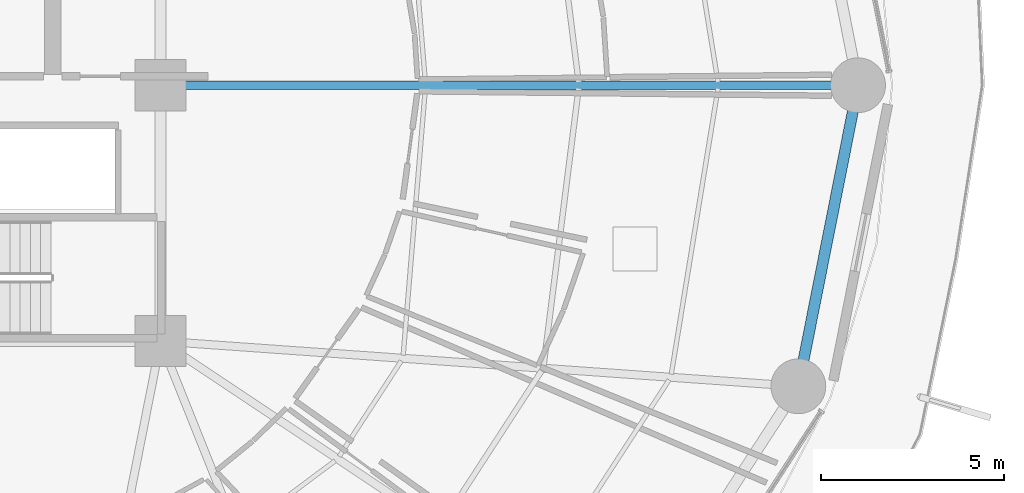
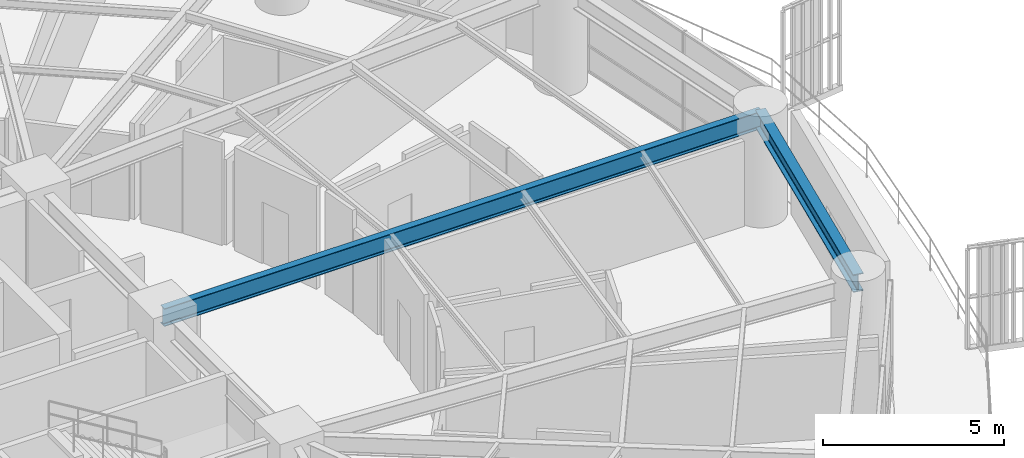
# One storey, part 13 of 34: 2 beams.
"""IFC4 building model written with IfcOpenShell, lengths in metres."""

import ifcopenshell
import ifcopenshell.guid

model = None  # the IFC model being written
_history = None  # IfcOwnerHistory: only IFC2X3 demands one
_inside = {}  # id of a spatial element -> (the spatial element, [elements in it])
_under = {}  # id of a project, library or spatial element -> (it, [spatial elements below it])
_declared = {}  # id of a project -> (the project, [libraries it declares])
_typed = {}  # id of a type object -> (the type object, [elements of that type])
_made_of = {}  # id of a material, layer set ... -> (it, [elements and type objects made of it])


def new_model(schema):
    """Start an empty IFC model of exactly this schema.

    Asked for "IFC4X3", IfcOpenShell would pick the latest addendum, in which some entities
    have other attributes; the version numbers below select the first issue.
    IFC2X3 requires an IfcOwnerHistory on every rooted entity: one is made here for all.
    """
    global model, _history
    if schema == "IFC4X3":
        model = ifcopenshell.file(schema_version=(4, 3, 0, 0))
    else:
        model = ifcopenshell.file(schema=schema)
    _inside.clear()
    _under.clear()
    _declared.clear()
    _typed.clear()
    _made_of.clear()
    _history = None
    if model.schema == "IFC2X3":
        org = make("IfcOrganization", Name="unknown")
        user = make(
            "IfcPersonAndOrganization",
            ThePerson=make("IfcPerson", FamilyName="unknown"),
            TheOrganization=org,
        )
        app = make(
            "IfcApplication",
            ApplicationDeveloper=org,
            Version="unknown",
            ApplicationFullName="unknown",
            ApplicationIdentifier="unknown",
        )
        _history = make(
            "IfcOwnerHistory",
            OwningUser=user,
            OwningApplication=app,
            ChangeAction="ADDED",
            CreationDate=0,
        )
    return model


def make(cls, **values):
    """One entity of the class cls with the attributes given. An attribute that is None is left unset."""
    return model.create_entity(
        cls, **{name: value for name, value in values.items() if value is not None}
    )


def rooted(cls, **values):
    """An entity with a GlobalId (a new one), such as an element, a storey or a relation."""
    return make(cls, GlobalId=ifcopenshell.guid.new(), OwnerHistory=_history, **values)


def si_unit(unit_type, name, prefix=None):
    """IfcSIUnit, for example si_unit("LENGTHUNIT", "METRE", prefix="MILLI")."""
    return make("IfcSIUnit", UnitType=unit_type, Prefix=prefix, Name=name)


def assignment(units):
    """IfcUnitAssignment: the units of a project."""
    return None if units is None else make("IfcUnitAssignment", Units=units)


def point(xyz):
    """IfcCartesianPoint."""
    return None if xyz is None else make("IfcCartesianPoint", Coordinates=xyz)


def direction(xyz):
    """IfcDirection."""
    return None if xyz is None else make("IfcDirection", DirectionRatios=xyz)


def frame(location, z_axis=None, x_axis=None):
    """IfcAxis2Placement3D, a coordinate frame: its origin and axes. An axis left out is left unset."""
    return make(
        "IfcAxis2Placement3D",
        Location=point(location),
        Axis=direction(z_axis),
        RefDirection=direction(x_axis),
    )


def frame_2d(location, x_axis=None):
    """IfcAxis2Placement2D, a coordinate frame in the plane: its origin and x axis."""
    return make(
        "IfcAxis2Placement2D", Location=point(location), RefDirection=direction(x_axis)
    )


def origin():
    """The frame at (0, 0, 0) with its axes left unset."""
    return frame((0.0, 0.0, 0.0))


def origin_2d():
    """The frame at (0, 0) in the plane with its x axis left unset."""
    return frame_2d((0.0, 0.0))


def place(relative_to, where):
    """IfcLocalPlacement: puts the frame where relative to a parent placement (None: the world)."""
    return make(
        "IfcLocalPlacement", PlacementRelTo=relative_to, RelativePlacement=where
    )


def context(
    kind, dimensions, precision=None, world=None, true_north=None, identifier=None
):
    """IfcGeometricRepresentationContext, for example the 3D "Model" context."""
    return make(
        "IfcGeometricRepresentationContext",
        ContextIdentifier=identifier,
        ContextType=kind,
        CoordinateSpaceDimension=dimensions,
        Precision=precision,
        WorldCoordinateSystem=world,
        TrueNorth=true_north,
    )


def subcontext(parent, identifier, kind, view, scale=None):
    """IfcGeometricRepresentationSubContext, for example "Body" below "Model"."""
    return make(
        "IfcGeometricRepresentationSubContext",
        ContextIdentifier=identifier,
        ContextType=kind,
        ParentContext=parent,
        TargetScale=scale,
        TargetView=view,
    )


def project(units=None, contexts=None):
    """IfcProject with its units and contexts."""
    return rooted(
        "IfcProject",
        Name="project",
        RepresentationContexts=contexts,
        UnitsInContext=assignment(units),
    )


def spatial(cls, under=None, at=None, **own):
    """A site, building, storey or space (cls), placed at a placement, below another one or the project."""
    s = rooted(cls, ObjectPlacement=at, **own)
    if under is not None:
        _under.setdefault(under.id(), (under, []))[1].append(s)
    return s


def profile(cls, at=None, kind="AREA", **sizes):
    """A parametric profile (cls). Its sizes go by their IFC names, for example OverallWidth=200.0."""
    return make(cls, ProfileType=kind, Position=at, **sizes)


def i_section(**sizes):
    """IfcIShapeProfileDef."""
    return profile("IfcIShapeProfileDef", **sizes)


def extrude(swept, where, along, depth):
    """IfcExtrudedAreaSolid: the profile swept, set in the frame where, extruded along a direction by depth."""
    return make(
        "IfcExtrudedAreaSolid",
        SweptArea=swept,
        Position=where,
        ExtrudedDirection=direction(along),
        Depth=depth,
    )


def shape(context_of_items, identifier, shape_type, items):
    """IfcShapeRepresentation: the items that make up one representation, for example the "Body"."""
    return make(
        "IfcShapeRepresentation",
        ContextOfItems=context_of_items,
        RepresentationIdentifier=identifier,
        RepresentationType=shape_type,
        Items=items,
    )


def material(Name=None, Category=None):
    """IfcMaterial."""
    return make("IfcMaterial", Name=Name, Category=Category)


def material_profile(
    of_material, cross_section, Name=None, Category=None, Priority=None
):
    """IfcMaterialProfile: a cross section and its material."""
    return make(
        "IfcMaterialProfile",
        Name=Name,
        Material=of_material,
        Profile=cross_section,
        Priority=Priority,
        Category=Category,
    )


def profile_set(profiles, Name=None, composite=None):
    """IfcMaterialProfileSet."""
    return make(
        "IfcMaterialProfileSet",
        Name=Name,
        MaterialProfiles=profiles,
        CompositeProfile=composite,
    )


def made_of(thing, what):
    """Note that an element or type object is made of a material, layer set ...; save() writes the relation."""
    if what is not None:
        _made_of.setdefault(what.id(), (what, []))[1].append(thing)
    return thing


def type_object(cls, material=None, **own):
    """A type object (cls), such as IfcWallType, which elements share."""
    return made_of(rooted(cls, **own), material)


def element(
    cls,
    number,
    at=None,
    inside=None,
    cuts=None,
    type_object=None,
    material=None,
    context=None,
    identifier="Body",
    shape_type=None,
    held_by="IfcProductDefinitionShape",
    body=None,
    shapes=None,
    **own,
):
    """One element of the class cls, such as IfcWall. Its Tag is "e" and its number.

    at: its placement. inside: the storey or other place that contains it. cuts: it is an
    opening in that element (IfcRelVoidsElement). A single representation is given by context,
    identifier, shape_type and body (its items); several are given by shapes. held_by: the class
    of the entity that holds the representations. save() writes the other relations.
    """
    e = rooted(cls, Tag="e%d" % number, ObjectPlacement=at, **own)
    if body is not None:
        shapes = [shape(context, identifier, shape_type, body)]
    if shapes is not None:
        e.Representation = make(held_by, Representations=shapes)
    if inside is not None:
        _inside.setdefault(inside.id(), (inside, []))[1].append(e)
    if cuts is not None:
        rooted(
            "IfcRelVoidsElement", RelatingBuildingElement=cuts, RelatedOpeningElement=e
        )
    if type_object is not None:
        _typed.setdefault(type_object.id(), (type_object, []))[1].append(e)
    return made_of(e, material)


def aggregate(whole, parts):
    """IfcRelAggregates: a whole, such as a stair, and the parts it consists of."""
    return rooted("IfcRelAggregates", RelatingObject=whole, RelatedObjects=parts)


def save(model, path):
    """Write the relations noted so far, then the file.

    IfcRelAggregates (storeys below a building ...), IfcRelContainedInSpatialStructure (elements
    in a storey), IfcRelDefinesByType, IfcRelAssociatesMaterial and IfcRelDeclares: one each for
    every whole, place, type object, material and project.
    """
    for whole, parts in _under.values():
        aggregate(whole, parts)
    for where, things in _inside.values():
        rooted(
            "IfcRelContainedInSpatialStructure",
            RelatedElements=things,
            RelatingStructure=where,
        )
    for kind, things in _typed.values():
        rooted("IfcRelDefinesByType", RelatedObjects=things, RelatingType=kind)
    for what, things in _made_of.values():
        rooted("IfcRelAssociatesMaterial", RelatedObjects=things, RelatingMaterial=what)
    for by, libraries in _declared.values():
        rooted("IfcRelDeclares", RelatingContext=by, RelatedDefinitions=libraries)
    model.write(path)


model = new_model("IFC4")

# Units and contexts
model_context = context("Model", 3, precision=1e-05, world=origin(), true_north=direction((0.0, 1.0)))
body_context = subcontext(model_context, "Body", "Model", "MODEL_VIEW")
ifc_project = project(units=[si_unit("LENGTHUNIT", "METRE"), si_unit("AREAUNIT", "SQUARE_METRE"), si_unit("VOLUMEUNIT", "CUBIC_METRE"), si_unit("PLANEANGLEUNIT", "RADIAN"), si_unit("MASSUNIT", "GRAM", prefix="KILO")], contexts=[model_context])

# Site, building, storey
site_placement = place(None, origin())
site = spatial("IfcSite", under=ifc_project, at=site_placement, CompositionType="ELEMENT")
building_placement = place(site_placement, origin())
building = spatial("IfcBuilding", under=site, at=building_placement, Name="Kelanora Arch Commons", CompositionType="ELEMENT")
storey_placement = place(building_placement, frame((0.0, 0.0, 30.0)))
storey = spatial("IfcBuildingStorey", under=building, at=storey_placement, Name="L07", CompositionType="ELEMENT", Elevation=30.0)

# Beams
ifc_material = material(Name="Steel S355", Category="steel")
ifc_material_profile_1 = material_profile(ifc_material, i_section(OverallWidth=0.219970703125, OverallDepth=0.60009765625, WebThickness=0.011962890625, FlangeThickness=0.01904296875, FilletRadius=0.02392578125, at=origin_2d()), Name="IPE600")
ifc_profile_set_1 = profile_set([ifc_material_profile_1], Name="Steel S355")
beam_type_1 = type_object("IfcBeamType", Name="BM-RAD-Z1", PredefinedType="BEAM", material=ifc_profile_set_1)
beam_1_placement = place(storey_placement, frame((82.0, 58.0, 3.18994140625), z_axis=(1.0, 0.0, 0.0), x_axis=(0.0, 1.0, 0.0)))
element("IfcBeam", 1, at=beam_1_placement, inside=storey, type_object=beam_type_1, Name="Radial Floor Girder BR-00 L07", PredefinedType="BEAM", context=body_context, shape_type="SweptSolid", body=[
    extrude(i_section(OverallWidth=0.219970703125, OverallDepth=0.60009765625, WebThickness=0.011962890625, FlangeThickness=0.01904296875, FilletRadius=0.02392578125, at=origin_2d()), origin(), (0.0, 0.0, 1.0), 19.080078125),
])
ifc_material_profile_2 = material_profile(ifc_material, i_section(OverallWidth=0.300048828125, OverallDepth=0.60009765625, WebThickness=0.015380859375, FlangeThickness=0.030029296875, FilletRadius=0.027099609375, at=origin_2d()), Name="HEB600")
ifc_profile_set_2 = profile_set([ifc_material_profile_2], Name="Steel S355")
beam_type_2 = type_object("IfcBeamType", Name="BM-SPN-Z1", PredefinedType="SPANDREL", material=ifc_profile_set_2)
beam_2_placement = place(storey_placement, frame((99.447021484375, 49.76416015625, 3.18994140625), z_axis=(0.194499827256, 0.980902552345, 0.0), x_axis=(-0.980902552345, 0.194499827256, 0.0)))
element("IfcBeam", 2, at=beam_2_placement, inside=storey, type_object=beam_type_2, Name="Perimeter Spandrel Beam BS-34 L07", PredefinedType="SPANDREL", context=body_context, shape_type="SweptSolid", body=[
    extrude(i_section(OverallWidth=0.300048828125, OverallDepth=0.60009765625, WebThickness=0.015380859375, FlangeThickness=0.030029296875, FilletRadius=0.027099609375, at=origin_2d()), origin(), (0.0, 0.0, 1.0), 8.396240234375),
])

save(model, "model.ifc")
